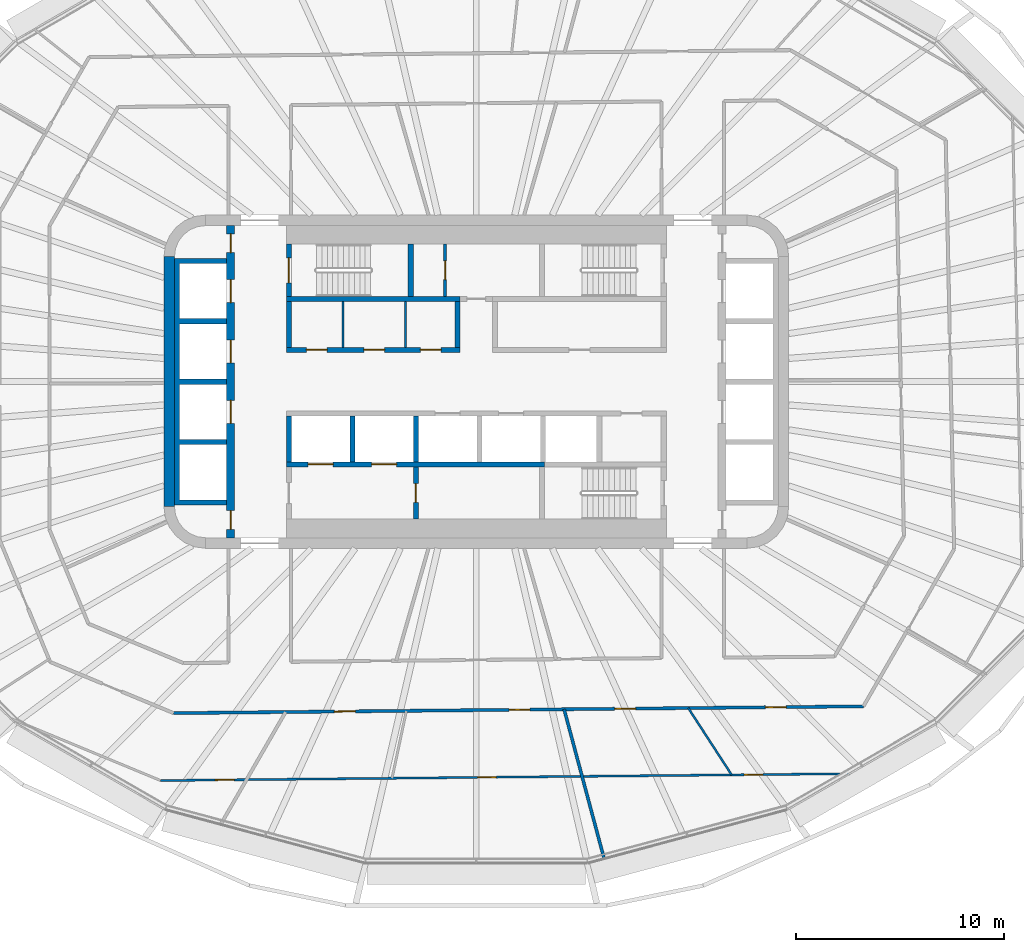
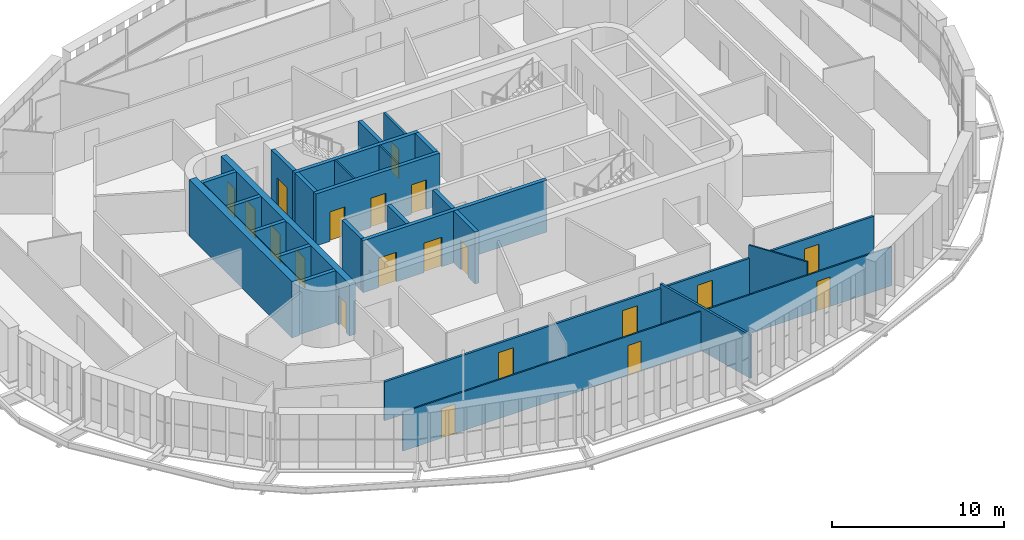
# One storey, part 11 of 21: 21 walls, 20 doors, 20 openings.
"""IFC4 building model written with IfcOpenShell, lengths in metres."""

from ifc_helpers import new_model, si_unit, direction, frame, frame_2d, origin, place, context, subcontext, project, spatial, polyline, rectangle, outline, extrude, material, layer, layer_set, type_object, element, fill, save


model = new_model("IFC4")

# Units and contexts
model_context = context("Model", 3, precision=1e-05, world=origin(), true_north=direction((0.0, 1.0)))
body_context = subcontext(model_context, "Body", "Model", "MODEL_VIEW")
ifc_project = project(units=[si_unit("LENGTHUNIT", "METRE"), si_unit("AREAUNIT", "SQUARE_METRE"), si_unit("VOLUMEUNIT", "CUBIC_METRE"), si_unit("PLANEANGLEUNIT", "RADIAN"), si_unit("MASSUNIT", "GRAM", prefix="KILO")], contexts=[model_context])

# Site, building, storey
site_placement = place(None, origin())
site = spatial("IfcSite", under=ifc_project, at=site_placement, CompositionType="ELEMENT")
building_placement = place(site_placement, origin())
building = spatial("IfcBuilding", under=site, at=building_placement, Name="Sahrelin Media Tower", CompositionType="ELEMENT")
storey_placement = place(building_placement, frame((0.0, 0.0, 193.60009765625)))
storey = spatial("IfcBuildingStorey", under=building, at=storey_placement, Name="L41", CompositionType="ELEMENT", Elevation=193.60009765625)

# Wall
ifc_material_1 = material(Name="Concrete C60/75", Category="concrete")
ifc_layer_1 = layer(ifc_material_1, 0.5)
ifc_layer_set_1 = layer_set([ifc_layer_1], Name="Core wall 500")
wall_type_1 = type_object("IfcWallType", Name="Core wall 500", PredefinedType="SHEAR", material=ifc_layer_set_1)
wall_1_placement = place(storey_placement, frame((-14.75, -6.0, 0.0), z_axis=(0.0, 0.0, 1.0), x_axis=(0.0, 1.0, 0.0)))
element("IfcWall", 1, at=wall_1_placement, inside=storey, type_object=wall_type_1, Name="Core wall W L41", PredefinedType="SHEAR", context=body_context, shape_type="SweptSolid", body=[
    extrude(rectangle(XDim=12.0, YDim=0.5, at=frame_2d((6.0, 0.0))), origin(), (0.0, 0.0, 1.0), 4.0),
])

# Wall, openings, doors
ifc_material_2 = material(Name="Fire-rated gypsum board partition")
ifc_layer_2 = layer(ifc_material_2, 0.25)
ifc_layer_set_2 = layer_set([ifc_layer_2], Name="Fire-rated lobby wall 250")
wall_type_2 = type_object("IfcWallType", Name="Fire-rated lobby wall 250", PredefinedType="PARTITIONING", material=ifc_layer_set_2)
wall_2_placement = place(storey_placement, frame((-9.125, 1.52490234375, 0.0), z_axis=(0.0, 0.0, 1.0), x_axis=(1.0, 0.0, 0.0)))
wall_2 = element("IfcWall", 2, at=wall_2_placement, inside=storey, type_object=wall_type_2, Name="Core lobby wall", PredefinedType="PARTITIONING", context=body_context, shape_type="SweptSolid", body=[
    extrude(rectangle(XDim=8.35009765625, YDim=0.25, at=frame_2d((4.175048828125, 0.0))), origin(), (0.0, 0.0, 1.0), 3.699951171875),
])
opening_1_placement = place(wall_2_placement, frame((0.96240234375, 0.0, 0.0)))
opening_1 = element("IfcOpeningElement", 3, at=opening_1_placement, cuts=wall_2, Name="Opening L41-D08", PredefinedType="OPENING", context=body_context, shape_type="SweptSolid", body=[
    extrude(rectangle(XDim=1.0, YDim=2.10009765625, at=frame_2d((0.5, 1.050048828125))), frame((0.0, 0.125, 0.0), z_axis=(0.0, -1.0, 0.0), x_axis=(1.0, 0.0, 0.0)), (0.0, 0.0, 1.0), 0.25),
])
opening_2_placement = place(wall_2_placement, frame((3.72509765625, 0.0, 0.0)))
opening_2 = element("IfcOpeningElement", 4, at=opening_2_placement, cuts=wall_2, Name="Opening L41-D09", PredefinedType="OPENING", context=body_context, shape_type="SweptSolid", body=[
    extrude(rectangle(XDim=1.0, YDim=2.10009765625, at=frame_2d((0.5, 1.050048828125))), frame((0.0, 0.125, 0.0), z_axis=(0.0, -1.0, 0.0), x_axis=(1.0, 0.0, 0.0)), (0.0, 0.0, 1.0), 0.25),
])
opening_3_placement = place(wall_2_placement, frame((6.4375, 0.0, 0.0)))
opening_3 = element("IfcOpeningElement", 5, at=opening_3_placement, cuts=wall_2, Name="Opening L41-D10", PredefinedType="OPENING", context=body_context, shape_type="SweptSolid", body=[
    extrude(rectangle(XDim=1.0, YDim=2.10009765625, at=frame_2d((0.5, 1.050048828125))), frame((0.0, 0.125, 0.0), z_axis=(0.0, -1.0, 0.0), x_axis=(1.0, 0.0, 0.0)), (0.0, 0.0, 1.0), 0.25),
])
ifc_material_3 = material(Name="Steel fire door leaf", Category="steel")
door_type_1 = type_object("IfcDoorType", Name="Fire door 1000 x 2100 EI 60", OperationType="NOTDEFINED", PredefinedType="DOOR", material=ifc_material_3)
door_1_placement = place(opening_1_placement, origin())
door_1 = element("IfcDoor", 6, at=door_1_placement, inside=storey, type_object=door_type_1, Name="Core room door", OperationType="SINGLE_SWING_LEFT", OverallHeight=2.10009765625, OverallWidth=1.0, PredefinedType="DOOR", context=body_context, shape_type="SweptSolid", body=[
    extrude(rectangle(XDim=1.0, YDim=2.10009765625, at=frame_2d((0.5, 1.050048828125))), frame((0.0, 0.02490234375, 0.0), z_axis=(0.0, -1.0, 0.0), x_axis=(1.0, 0.0, 0.0)), (0.0, 0.0, 1.0), 0.050048828125),
])
fill(opening_1, door_1)
door_2_placement = place(opening_2_placement, origin())
door_2 = element("IfcDoor", 7, at=door_2_placement, inside=storey, type_object=door_type_1, Name="Core room door", OperationType="SINGLE_SWING_LEFT", OverallHeight=2.10009765625, OverallWidth=1.0, PredefinedType="DOOR", context=body_context, shape_type="SweptSolid", body=[
    extrude(rectangle(XDim=1.0, YDim=2.10009765625, at=frame_2d((0.5, 1.050048828125))), frame((0.0, 0.02490234375, 0.0), z_axis=(0.0, -1.0, 0.0), x_axis=(1.0, 0.0, 0.0)), (0.0, 0.0, 1.0), 0.050048828125),
])
fill(opening_2, door_2)
door_3_placement = place(opening_3_placement, origin())
door_3 = element("IfcDoor", 8, at=door_3_placement, inside=storey, type_object=door_type_1, Name="Core room door", OperationType="SINGLE_SWING_LEFT", OverallHeight=2.10009765625, OverallWidth=1.0, PredefinedType="DOOR", context=body_context, shape_type="SweptSolid", body=[
    extrude(rectangle(XDim=1.0, YDim=2.10009765625, at=frame_2d((0.5, 1.050048828125))), frame((0.0, 0.02490234375, 0.0), z_axis=(0.0, -1.0, 0.0), x_axis=(1.0, 0.0, 0.0)), (0.0, 0.0, 1.0), 0.050048828125),
])
fill(opening_3, door_3)

# Walls
for number, where, z_axis, x_axis, name in (
    (9, (-9.0, 1.64990234375, 0.0), (0.0, 0.0, 1.0), (0.0, 1.0, 0.0), "Core lobby wall"),
    (10, (-0.89990234375, 1.64990234375, 0.0), (0.0, 0.0, 1.0), (0.0, 1.0, 0.0), "Core lobby wall"),
):
    element("IfcWall", number, at=place(storey_placement, frame(where, z_axis=z_axis, x_axis=x_axis)), inside=storey, type_object=wall_type_2, Name=name, PredefinedType="PARTITIONING", context=body_context, shape_type="SweptSolid", body=[
        extrude(rectangle(XDim=2.2001953125, YDim=0.25, at=frame_2d((1.10009765625, 0.0))), origin(), (0.0, 0.0, 1.0), 3.699951171875),
    ])
ifc_layer_3 = layer(ifc_material_2, 0.10009765625)
ifc_layer_set_3 = layer_set([ifc_layer_3], Name="Fire-rated partition 100")
wall_type_3 = type_object("IfcWallType", Name="Fire-rated partition 100", PredefinedType="PARTITIONING", material=ifc_layer_set_3)
for number, where, z_axis, x_axis, name in (
    (11, (-6.39990234375, 1.64990234375, 0.0), (0.0, 0.0, 1.0), (0.0, 1.0, 0.0), "Core room partition"),
    (12, (-3.39990234375, 1.64990234375, 0.0), (0.0, 0.0, 1.0), (0.0, 1.0, 0.0), "Core room partition"),
):
    element("IfcWall", number, at=place(storey_placement, frame(where, z_axis=z_axis, x_axis=x_axis)), inside=storey, type_object=wall_type_3, Name=name, PredefinedType="PARTITIONING", context=body_context, shape_type="SweptSolid", body=[
        extrude(rectangle(XDim=2.2001953125, YDim=0.10009765625, at=frame_2d((1.10009765625, 0.0))), origin(), (0.0, 0.0, 1.0), 3.699951171875),
    ])

# Wall, opening, door
ifc_layer_4 = layer(ifc_material_2, 0.14990234375)
ifc_layer_set_4 = layer_set([ifc_layer_4], Name="Fire-rated partition 150")
wall_type_4 = type_object("IfcWallType", Name="Fire-rated partition 150", PredefinedType="PARTITIONING", material=ifc_layer_set_4)
wall_3_placement = place(storey_placement, frame((-1.5, 4.10009765625, 0.0), z_axis=(0.0, 0.0, 1.0), x_axis=(0.0, 1.0, 0.0)))
wall_3 = element("IfcWall", 13, at=wall_3_placement, inside=storey, type_object=wall_type_4, Name="Core room fire partition", PredefinedType="PARTITIONING", context=body_context, shape_type="SweptSolid", body=[
    extrude(rectangle(XDim=2.5, YDim=0.14990234375, at=frame_2d((1.25, 0.0))), origin(), (0.0, 0.0, 1.0), 3.699951171875),
])
opening_4_placement = place(wall_3_placement, frame((0.800048828125, 0.0, 0.0)))
opening_4 = element("IfcOpeningElement", 14, at=opening_4_placement, cuts=wall_3, Name="Opening L41-D07", PredefinedType="OPENING", context=body_context, shape_type="SweptSolid", body=[
    extrude(rectangle(XDim=0.89990234375, YDim=2.10009765625, at=frame_2d((0.449951171875, 1.050048828125))), frame((0.0, 0.074951171875, 0.0), z_axis=(0.0, -1.0, 0.0), x_axis=(1.0, 0.0, 0.0)), (0.0, 0.0, 1.0), 0.14990234375),
])
door_type_2 = type_object("IfcDoorType", Name="Fire door 900 x 2100 EI 60", OperationType="NOTDEFINED", PredefinedType="DOOR", material=ifc_material_3)
door_4_placement = place(opening_4_placement, origin())
door_4 = element("IfcDoor", 15, at=door_4_placement, inside=storey, type_object=door_type_2, Name="Core room door", OperationType="SINGLE_SWING_LEFT", OverallHeight=2.10009765625, OverallWidth=0.89990234375, PredefinedType="DOOR", context=body_context, shape_type="SweptSolid", body=[
    extrude(rectangle(XDim=0.89990234375, YDim=2.10009765625, at=frame_2d((0.449951171875, 1.050048828125))), frame((0.0, 0.02490234375, 0.0), z_axis=(0.0, -1.0, 0.0), x_axis=(1.0, 0.0, 0.0)), (0.0, 0.0, 1.0), 0.050048828125),
])
fill(opening_4, door_4)

# Wall
wall_4_placement = place(storey_placement, frame((4.215087890625, -15.72998046875, 0.0), z_axis=(0.0, 0.0, 1.0), x_axis=(0.258765615768, -0.965940141052, 0.0)))
element("IfcWall", 16, at=wall_4_placement, inside=storey, type_object=wall_type_4, Name="Wall", PredefinedType="PARTITIONING", context=body_context, shape_type="SweptSolid", body=[
    extrude(rectangle(XDim=7.4384765625, YDim=0.14990234375, at=frame_2d((3.71923828125, 0.0))), origin(), (0.0, 0.0, 1.0), 3.077392578125),
])

# Wall, openings, doors
wall_5_placement = place(storey_placement, frame((-14.533935546875, -15.91552734375, 0.0), z_axis=(0.0, 0.0, 1.0), x_axis=(0.999951221888, 0.009876935033, 0.0)))
wall_5 = element("IfcWall", 17, at=wall_5_placement, inside=storey, type_object=wall_type_4, Name="Wall", PredefinedType="PARTITIONING", context=body_context, shape_type="SweptSolid", body=[
    extrude(rectangle(XDim=33.12255859375, YDim=0.14990234375, at=frame_2d((16.561279296875, 0.0))), origin(), (0.0, 0.0, 1.0), 2.76806640625),
])
opening_5_placement = place(wall_5_placement, frame((7.722412109375, 0.0, 0.0)))
opening_5 = element("IfcOpeningElement", 18, at=opening_5_placement, cuts=wall_5, Name="Opening L41-D52", PredefinedType="OPENING", context=body_context, shape_type="SweptSolid", body=[
    extrude(rectangle(XDim=1.0, YDim=2.10009765625, at=frame_2d((0.5, 1.050048828125))), frame((0.0, 0.074951171875, 0.0), z_axis=(0.0, -1.0, 0.0), x_axis=(1.0, 0.0, 0.0)), (0.0, 0.0, 1.0), 0.14990234375),
])
opening_6_placement = place(wall_5_placement, frame((16.110595703125, 0.0, 0.0)))
opening_6 = element("IfcOpeningElement", 19, at=opening_6_placement, cuts=wall_5, Name="Opening L41-D53", PredefinedType="OPENING", context=body_context, shape_type="SweptSolid", body=[
    extrude(rectangle(XDim=1.0, YDim=2.10009765625, at=frame_2d((0.5, 1.050048828125))), frame((0.0, 0.074951171875, 0.0), z_axis=(0.0, -1.0, 0.0), x_axis=(1.0, 0.0, 0.0)), (0.0, 0.0, 1.0), 0.14990234375),
])
opening_7_placement = place(wall_5_placement, frame((21.1796875, 0.0, 0.0)))
opening_7 = element("IfcOpeningElement", 20, at=opening_7_placement, cuts=wall_5, Name="Opening L41-D55", PredefinedType="OPENING", context=body_context, shape_type="SweptSolid", body=[
    extrude(rectangle(XDim=1.0, YDim=2.10009765625, at=frame_2d((0.5, 1.050048828125))), frame((0.0, 0.074951171875, 0.0), z_axis=(0.0, -1.0, 0.0), x_axis=(1.0, 0.0, 0.0)), (0.0, 0.0, 1.0), 0.14990234375),
])
opening_8_placement = place(wall_5_placement, frame((28.41552734375, 0.0, 0.0)))
opening_8 = element("IfcOpeningElement", 21, at=opening_8_placement, cuts=wall_5, Name="Opening L41-D56", PredefinedType="OPENING", context=body_context, shape_type="SweptSolid", body=[
    extrude(rectangle(XDim=1.0, YDim=2.10009765625, at=frame_2d((0.5, 1.050048828125))), frame((0.0, 0.074951171875, 0.0), z_axis=(0.0, -1.0, 0.0), x_axis=(1.0, 0.0, 0.0)), (0.0, 0.0, 1.0), 0.14990234375),
])
door_5_placement = place(opening_5_placement, origin())
door_5 = element("IfcDoor", 22, at=door_5_placement, inside=storey, type_object=door_type_1, Name="Fire door", OperationType="SINGLE_SWING_LEFT", OverallHeight=2.10009765625, OverallWidth=1.0, PredefinedType="DOOR", context=body_context, shape_type="SweptSolid", body=[
    extrude(rectangle(XDim=1.0, YDim=2.10009765625, at=frame_2d((0.5, 1.050048828125))), frame((0.0, 0.02490234375, 0.0), z_axis=(0.0, -1.0, 0.0), x_axis=(1.0, 0.0, 0.0)), (0.0, 0.0, 1.0), 0.050048828125),
])
fill(opening_5, door_5)
door_6_placement = place(opening_6_placement, origin())
door_6 = element("IfcDoor", 23, at=door_6_placement, inside=storey, type_object=door_type_1, Name="Fire door", OperationType="SINGLE_SWING_RIGHT", OverallHeight=2.10009765625, OverallWidth=1.0, PredefinedType="DOOR", context=body_context, shape_type="SweptSolid", body=[
    extrude(rectangle(XDim=1.0, YDim=2.10009765625, at=frame_2d((0.5, 1.050048828125))), frame((0.0, 0.02490234375, 0.0), z_axis=(0.0, -1.0, 0.0), x_axis=(1.0, 0.0, 0.0)), (0.0, 0.0, 1.0), 0.050048828125),
])
fill(opening_6, door_6)
door_7_placement = place(opening_7_placement, origin())
door_7 = element("IfcDoor", 24, at=door_7_placement, inside=storey, type_object=door_type_1, Name="Fire door", OperationType="SINGLE_SWING_LEFT", OverallHeight=2.10009765625, OverallWidth=1.0, PredefinedType="DOOR", context=body_context, shape_type="SweptSolid", body=[
    extrude(rectangle(XDim=1.0, YDim=2.10009765625, at=frame_2d((0.5, 1.050048828125))), frame((0.0, 0.02490234375, 0.0), z_axis=(0.0, -1.0, 0.0), x_axis=(1.0, 0.0, 0.0)), (0.0, 0.0, 1.0), 0.050048828125),
])
fill(opening_7, door_7)
door_8_placement = place(opening_8_placement, origin())
door_8 = element("IfcDoor", 25, at=door_8_placement, inside=storey, type_object=door_type_1, Name="Fire door", OperationType="SINGLE_SWING_LEFT", OverallHeight=2.10009765625, OverallWidth=1.0, PredefinedType="DOOR", context=body_context, shape_type="SweptSolid", body=[
    extrude(rectangle(XDim=1.0, YDim=2.10009765625, at=frame_2d((0.5, 1.050048828125))), frame((0.0, 0.02490234375, 0.0), z_axis=(0.0, -1.0, 0.0), x_axis=(1.0, 0.0, 0.0)), (0.0, 0.0, 1.0), 0.050048828125),
])
fill(opening_8, door_8)

# Wall, opening, door
ifc_layer_5 = layer(ifc_material_2, 0.25)
ifc_layer_set_5 = layer_set([ifc_layer_5], Name="Firefighting lobby wall 250")
wall_type_5 = type_object("IfcWallType", Name="Firefighting lobby wall 250", PredefinedType="PARTITIONING", material=ifc_layer_set_5)
wall_6_placement = place(storey_placement, frame((-2.89990234375, -6.60009765625, 0.0), z_axis=(0.0, 0.0, 1.0), x_axis=(0.0, 1.0, 0.0)))
wall_6 = element("IfcWall", 26, at=wall_6_placement, inside=storey, type_object=wall_type_5, Name="Core wall", PredefinedType="PARTITIONING", context=body_context, shape_type="SweptSolid", body=[
    extrude(rectangle(XDim=2.5, YDim=0.25, at=frame_2d((1.25, 0.0))), origin(), (0.0, 0.0, 1.0), 3.699951171875),
])
opening_9_placement = place(wall_6_placement, frame((0.800048828125, 0.0, 0.0)))
opening_9 = element("IfcOpeningElement", 27, at=opening_9_placement, cuts=wall_6, Name="Opening L41-D05", PredefinedType="OPENING", context=body_context, shape_type="SweptSolid", body=[
    extrude(rectangle(XDim=0.89990234375, YDim=2.10009765625, at=frame_2d((0.449951171875, 1.050048828125))), frame((0.0, 0.125, 0.0), z_axis=(0.0, -1.0, 0.0), x_axis=(1.0, 0.0, 0.0)), (0.0, 0.0, 1.0), 0.25),
])
door_type_3 = type_object("IfcDoorType", Name="Firefighting lobby door 900 x 2100 EI 120", OperationType="NOTDEFINED", PredefinedType="DOOR", material=ifc_material_3)
door_9_placement = place(opening_9_placement, origin())
door_9 = element("IfcDoor", 28, at=door_9_placement, inside=storey, type_object=door_type_3, Name="Riser door", OperationType="SINGLE_SWING_RIGHT", OverallHeight=2.10009765625, OverallWidth=0.89990234375, PredefinedType="DOOR", context=body_context, shape_type="SweptSolid", body=[
    extrude(rectangle(XDim=0.89990234375, YDim=2.10009765625, at=frame_2d((0.449951171875, 1.050048828125))), frame((0.0, 0.02490234375, 0.0), z_axis=(0.0, -1.0, 0.0), x_axis=(1.0, 0.0, 0.0)), (0.0, 0.0, 1.0), 0.050048828125),
])
fill(opening_9, door_9)

# Wall, openings, doors
ifc_layer_6 = layer(ifc_material_1, 0.25)
ifc_layer_set_6 = layer_set([ifc_layer_6], Name="Lift shaft wall 250")
wall_type_6 = type_object("IfcWallType", Name="Lift shaft wall 250", PredefinedType="SOLIDWALL", material=ifc_layer_set_6)
wall_7_placement = place(storey_placement, frame((-9.125, -3.97509765625, 0.0), z_axis=(0.0, 0.0, 1.0), x_axis=(1.0, 0.0, 0.0)))
wall_7 = element("IfcWall", 29, at=wall_7_placement, inside=storey, type_object=wall_type_6, Name="Lift shaft wall", PredefinedType="SOLIDWALL", context=body_context, shape_type="SweptSolid", body=[
    extrude(rectangle(XDim=12.39990234375, YDim=0.25, at=frame_2d((6.199951171875, 0.0))), origin(), (0.0, 0.0, 1.0), 3.699951171875),
])
opening_10_placement = place(wall_7_placement, frame((1.050048828125, 0.0, 0.0)))
opening_10 = element("IfcOpeningElement", 30, at=opening_10_placement, cuts=wall_7, Name="Opening L41-LD-FF1", PredefinedType="OPENING", context=body_context, shape_type="SweptSolid", body=[
    extrude(rectangle(XDim=1.199951171875, YDim=2.10009765625, at=frame_2d((0.60009765625, 1.050048828125))), frame((0.0, 0.125, 0.0), z_axis=(0.0, -1.0, 0.0), x_axis=(1.0, 0.0, 0.0)), (0.0, 0.0, 1.0), 0.25),
])
opening_11_placement = place(wall_7_placement, frame((4.10009765625, 0.0, 0.0)))
opening_11 = element("IfcOpeningElement", 31, at=opening_11_placement, cuts=wall_7, Name="Opening L41-LD-FF2", PredefinedType="OPENING", context=body_context, shape_type="SweptSolid", body=[
    extrude(rectangle(XDim=1.199951171875, YDim=2.10009765625, at=frame_2d((0.60009765625, 1.050048828125))), frame((0.0, 0.125, 0.0), z_axis=(0.0, -1.0, 0.0), x_axis=(1.0, 0.0, 0.0)), (0.0, 0.0, 1.0), 0.25),
])
ifc_material_4 = material(Name="Stainless steel", Category="steel")
door_type_4 = type_object("IfcDoorType", Name="Lift landing door 1200 x 2100 EI 120", OperationType="DOUBLE_DOOR_SLIDING", PredefinedType="DOOR", material=ifc_material_4)
door_10_placement = place(opening_10_placement, origin())
door_10 = element("IfcDoor", 32, at=door_10_placement, inside=storey, type_object=door_type_4, Name="Lift landing door FF1", OperationType="DOUBLE_DOOR_SLIDING", OverallHeight=2.10009765625, OverallWidth=1.199951171875, PredefinedType="DOOR", context=body_context, shape_type="SweptSolid", body=[
    extrude(rectangle(XDim=1.199951171875, YDim=2.10009765625, at=frame_2d((0.60009765625, 1.050048828125))), frame((0.0, 0.02490234375, 0.0), z_axis=(0.0, -1.0, 0.0), x_axis=(1.0, 0.0, 0.0)), (0.0, 0.0, 1.0), 0.050048828125),
])
fill(opening_10, door_10)
door_11_placement = place(opening_11_placement, origin())
door_11 = element("IfcDoor", 33, at=door_11_placement, inside=storey, type_object=door_type_4, Name="Lift landing door FF2", OperationType="DOUBLE_DOOR_SLIDING", OverallHeight=2.10009765625, OverallWidth=1.199951171875, PredefinedType="DOOR", context=body_context, shape_type="SweptSolid", body=[
    extrude(rectangle(XDim=1.199951171875, YDim=2.10009765625, at=frame_2d((0.60009765625, 1.050048828125))), frame((0.0, 0.02490234375, 0.0), z_axis=(0.0, -1.0, 0.0), x_axis=(1.0, 0.0, 0.0)), (0.0, 0.0, 1.0), 0.050048828125),
])
fill(opening_11, door_11)

# Walls
for number, where, z_axis, x_axis, name in (
    (34, (-9.0, -3.85009765625, 0.0), (0.0, 0.0, 1.0), (0.0, 1.0, 0.0), "Lift shaft wall"),
    (35, (-5.949951171875, -3.85009765625, 0.0), (0.0, 0.0, 1.0), (0.0, 1.0, 0.0), "Lift shaft wall"),
    (36, (-2.89990234375, -3.85009765625, 0.0), (0.0, 0.0, 1.0), (0.0, 1.0, 0.0), "Lift shaft wall"),
):
    element("IfcWall", number, at=place(storey_placement, frame(where, z_axis=z_axis, x_axis=x_axis)), inside=storey, type_object=wall_type_6, Name=name, PredefinedType="SOLIDWALL", context=body_context, shape_type="SweptSolid", body=[
        extrude(rectangle(XDim=2.2001953125, YDim=0.25, at=frame_2d((1.10009765625, 0.0))), origin(), (0.0, 0.0, 1.0), 3.699951171875),
    ])
wall_8_placement = place(storey_placement, origin())
element("IfcWall", 37, at=wall_8_placement, inside=storey, type_object=wall_type_6, Name="Lift shaft wall", PredefinedType="SOLIDWALL", context=body_context, shape_type="SweptSolid", body=[
    extrude(outline(polyline([(-12.0, -5.925048828125), (-12.0, -5.675048828125), (-14.25, -5.675048828125), (-14.25, -3.02490234375), (-12.0, -3.02490234375), (-12.0, -2.77490234375), (-14.25, -2.77490234375), (-14.25, -0.125), (-12.0, -0.125), (-12.0, 0.125), (-14.25, 0.125), (-14.25, 2.77490234375), (-12.0, 2.77490234375), (-12.0, 3.02490234375), (-14.25, 3.02490234375), (-14.25, 5.675048828125), (-12.0, 5.675048828125), (-12.0, 5.925048828125), (-14.25, 5.925048828125), (-14.5, 5.925048828125), (-14.5, 5.675048828125), (-14.5, 3.02490234375), (-14.5, 2.77490234375), (-14.5, 0.125), (-14.5, -0.125), (-14.5, -2.77490234375), (-14.5, -3.02490234375), (-14.5, -5.675048828125), (-14.5, -5.925048828125), (-14.25, -5.925048828125), (-12.0, -5.925048828125)])), origin(), (0.0, 0.0, 1.0), 3.699951171875),
])

# Wall, openings, doors
ifc_layer_7 = layer(ifc_material_1, 0.39990234375)
ifc_layer_set_7 = layer_set([ifc_layer_7], Name="Lift shaft wall 400")
wall_type_7 = type_object("IfcWallType", Name="Lift shaft wall 400", PredefinedType="SOLIDWALL", material=ifc_layer_set_7)
wall_9_placement = place(storey_placement, frame((-11.800048828125, -7.5, 0.0), z_axis=(0.0, 0.0, 1.0), x_axis=(0.0, 1.0, 0.0)))
wall_9 = element("IfcWall", 38, at=wall_9_placement, inside=storey, type_object=wall_type_7, Name="Lift shaft wall", PredefinedType="SOLIDWALL", context=body_context, shape_type="SweptSolid", body=[
    extrude(rectangle(XDim=15.0, YDim=0.39990234375, at=frame_2d((7.5, 0.0))), origin(), (0.0, 0.0, 1.0), 3.699951171875),
])
opening_12_placement = place(wall_9_placement, frame((11.300048828125, 0.0, 0.0)))
opening_12 = element("IfcOpeningElement", 39, at=opening_12_placement, cuts=wall_9, Name="Opening L41-LD-LR1", PredefinedType="OPENING", context=body_context, shape_type="SweptSolid", body=[
    extrude(rectangle(XDim=1.10009765625, YDim=2.10009765625, at=frame_2d((0.550048828125, 1.050048828125))), frame((0.0, 0.199951171875, 0.0), z_axis=(0.0, -1.0, 0.0), x_axis=(1.0, 0.0, 0.0)), (0.0, 0.0, 1.0), 0.39990234375),
])
opening_13_placement = place(wall_9_placement, frame((8.39990234375, 0.0, 0.0)))
opening_13 = element("IfcOpeningElement", 40, at=opening_13_placement, cuts=wall_9, Name="Opening L41-LD-LR2", PredefinedType="OPENING", context=body_context, shape_type="SweptSolid", body=[
    extrude(rectangle(XDim=1.10009765625, YDim=2.10009765625, at=frame_2d((0.550048828125, 1.050048828125))), frame((0.0, 0.199951171875, 0.0), z_axis=(0.0, -1.0, 0.0), x_axis=(1.0, 0.0, 0.0)), (0.0, 0.0, 1.0), 0.39990234375),
])
opening_14_placement = place(wall_9_placement, frame((5.5, 0.0, 0.0)))
opening_14 = element("IfcOpeningElement", 41, at=opening_14_placement, cuts=wall_9, Name="Opening L41-LD-LR3", PredefinedType="OPENING", context=body_context, shape_type="SweptSolid", body=[
    extrude(rectangle(XDim=1.10009765625, YDim=2.10009765625, at=frame_2d((0.550048828125, 1.050048828125))), frame((0.0, 0.199951171875, 0.0), z_axis=(0.0, -1.0, 0.0), x_axis=(1.0, 0.0, 0.0)), (0.0, 0.0, 1.0), 0.39990234375),
])
opening_15_placement = place(wall_9_placement, frame((13.696533203125, 0.0, 0.0)))
opening_15 = element("IfcOpeningElement", 42, at=opening_15_placement, cuts=wall_9, Name="Opening L41-D13", PredefinedType="OPENING", context=body_context, shape_type="SweptSolid", body=[
    extrude(rectangle(XDim=0.89990234375, YDim=2.10009765625, at=frame_2d((0.449951171875, 1.050048828125))), frame((0.0, 0.199951171875, 0.0), z_axis=(0.0, -1.0, 0.0), x_axis=(1.0, 0.0, 0.0)), (0.0, 0.0, 1.0), 0.39990234375),
])
opening_16_placement = place(wall_9_placement, frame((0.4033203125, 0.0, 0.0)))
opening_16 = element("IfcOpeningElement", 43, at=opening_16_placement, cuts=wall_9, Name="Opening L41-D14", PredefinedType="OPENING", context=body_context, shape_type="SweptSolid", body=[
    extrude(rectangle(XDim=0.89990234375, YDim=2.10009765625, at=frame_2d((0.449951171875, 1.050048828125))), frame((0.0, 0.199951171875, 0.0), z_axis=(0.0, -1.0, 0.0), x_axis=(1.0, 0.0, 0.0)), (0.0, 0.0, 1.0), 0.39990234375),
])
door_type_5 = type_object("IfcDoorType", Name="Lift landing door 1100 x 2100 EI 120", OperationType="DOUBLE_DOOR_SLIDING", PredefinedType="DOOR", material=ifc_material_4)
door_12_placement = place(opening_12_placement, origin())
door_12 = element("IfcDoor", 44, at=door_12_placement, inside=storey, type_object=door_type_5, Name="Lift landing door LR1", OperationType="DOUBLE_DOOR_SLIDING", OverallHeight=2.10009765625, OverallWidth=1.10009765625, PredefinedType="DOOR", context=body_context, shape_type="SweptSolid", body=[
    extrude(rectangle(XDim=1.10009765625, YDim=2.10009765625, at=frame_2d((0.550048828125, 1.050048828125))), frame((0.0, 0.02490234375, 0.0), z_axis=(0.0, -1.0, 0.0), x_axis=(1.0, 0.0, 0.0)), (0.0, 0.0, 1.0), 0.050048828125),
])
fill(opening_12, door_12)
door_13_placement = place(opening_13_placement, origin())
door_13 = element("IfcDoor", 45, at=door_13_placement, inside=storey, type_object=door_type_5, Name="Lift landing door LR2", OperationType="DOUBLE_DOOR_SLIDING", OverallHeight=2.10009765625, OverallWidth=1.10009765625, PredefinedType="DOOR", context=body_context, shape_type="SweptSolid", body=[
    extrude(rectangle(XDim=1.10009765625, YDim=2.10009765625, at=frame_2d((0.550048828125, 1.050048828125))), frame((0.0, 0.02490234375, 0.0), z_axis=(0.0, -1.0, 0.0), x_axis=(1.0, 0.0, 0.0)), (0.0, 0.0, 1.0), 0.050048828125),
])
fill(opening_13, door_13)
door_14_placement = place(opening_14_placement, origin())
door_14 = element("IfcDoor", 46, at=door_14_placement, inside=storey, type_object=door_type_5, Name="Lift landing door LR3", OperationType="DOUBLE_DOOR_SLIDING", OverallHeight=2.10009765625, OverallWidth=1.10009765625, PredefinedType="DOOR", context=body_context, shape_type="SweptSolid", body=[
    extrude(rectangle(XDim=1.10009765625, YDim=2.10009765625, at=frame_2d((0.550048828125, 1.050048828125))), frame((0.0, 0.02490234375, 0.0), z_axis=(0.0, -1.0, 0.0), x_axis=(1.0, 0.0, 0.0)), (0.0, 0.0, 1.0), 0.050048828125),
])
fill(opening_14, door_14)
door_type_6 = type_object("IfcDoorType", Name="Riser door 900 x 2100 EI 120", OperationType="NOTDEFINED", PredefinedType="DOOR", material=ifc_material_3)
door_15_placement = place(opening_15_placement, origin())
door_15 = element("IfcDoor", 47, at=door_15_placement, inside=storey, type_object=door_type_6, Name="Riser door", OperationType="SINGLE_SWING_LEFT", OverallHeight=2.10009765625, OverallWidth=0.89990234375, PredefinedType="DOOR", context=body_context, shape_type="SweptSolid", body=[
    extrude(rectangle(XDim=0.89990234375, YDim=2.10009765625, at=frame_2d((0.449951171875, 1.050048828125))), frame((0.0, 0.02490234375, 0.0), z_axis=(0.0, -1.0, 0.0), x_axis=(1.0, 0.0, 0.0)), (0.0, 0.0, 1.0), 0.050048828125),
])
fill(opening_15, door_15)
door_16_placement = place(opening_16_placement, origin())
door_16 = element("IfcDoor", 48, at=door_16_placement, inside=storey, type_object=door_type_6, Name="Riser door", OperationType="SINGLE_SWING_LEFT", OverallHeight=2.10009765625, OverallWidth=0.89990234375, PredefinedType="DOOR", context=body_context, shape_type="SweptSolid", body=[
    extrude(rectangle(XDim=0.89990234375, YDim=2.10009765625, at=frame_2d((0.449951171875, 1.050048828125))), frame((0.0, 0.02490234375, 0.0), z_axis=(0.0, -1.0, 0.0), x_axis=(1.0, 0.0, 0.0)), (0.0, 0.0, 1.0), 0.050048828125),
])
fill(opening_16, door_16)

# Wall
ifc_material_5 = material(Name="Gypsum board partition")
ifc_layer_8 = layer(ifc_material_5, 0.10009765625)
ifc_layer_set_8 = layer_set([ifc_layer_8], Name="Partition 100")
wall_type_8 = type_object("IfcWallType", Name="Partition 100", PredefinedType="PARTITIONING", material=ifc_layer_set_8)
wall_10_placement = place(storey_placement, frame((10.177001953125, -15.6708984375, 0.0), z_axis=(0.0, 0.0, 1.0), x_axis=(0.544647409198, -0.838665129628, 0.0)))
element("IfcWall", 49, at=wall_10_placement, inside=storey, type_object=wall_type_8, Name="Wall", PredefinedType="PARTITIONING", context=body_context, shape_type="SweptSolid", body=[
    extrude(rectangle(XDim=3.826416015625, YDim=0.10009765625, at=frame_2d((1.9130859375, 0.0))), origin(), (0.0, 0.0, 1.0), 3.699951171875),
])

# Wall, openings, doors
wall_11_placement = place(storey_placement, frame((-15.160888671875, -19.152099609375, 0.0), z_axis=(0.0, 0.0, 1.0), x_axis=(0.999950812999, 0.009918244889, 0.0)))
wall_11 = element("IfcWall", 50, at=wall_11_placement, inside=storey, type_object=wall_type_8, Name="Wall", PredefinedType="PARTITIONING", context=body_context, shape_type="SweptSolid", body=[
    extrude(rectangle(XDim=33.107666015625, YDim=0.10009765625, at=frame_2d((16.5537109375, 0.0))), origin(), (0.0, 0.0, 1.0), 2.76806640625),
])
opening_17_placement = place(wall_11_placement, frame((2.627685546875, 0.0, 0.0)))
opening_17 = element("IfcOpeningElement", 51, at=opening_17_placement, cuts=wall_11, Name="Opening L41-D51", PredefinedType="OPENING", context=body_context, shape_type="SweptSolid", body=[
    extrude(rectangle(XDim=0.89990234375, YDim=2.10009765625, at=frame_2d((0.449951171875, 1.050048828125))), frame((0.0, 0.050048828125, 0.0), z_axis=(0.0, -1.0, 0.0), x_axis=(1.0, 0.0, 0.0)), (0.0, 0.0, 1.0), 0.10009765625),
])
opening_18_placement = place(wall_11_placement, frame((15.22607421875, 0.0, 0.0)))
opening_18 = element("IfcOpeningElement", 52, at=opening_18_placement, cuts=wall_11, Name="Opening L41-D54", PredefinedType="OPENING", context=body_context, shape_type="SweptSolid", body=[
    extrude(rectangle(XDim=0.89990234375, YDim=2.10009765625, at=frame_2d((0.449951171875, 1.050048828125))), frame((0.0, 0.050048828125, 0.0), z_axis=(0.0, -1.0, 0.0), x_axis=(1.0, 0.0, 0.0)), (0.0, 0.0, 1.0), 0.10009765625),
])
opening_19_placement = place(wall_11_placement, frame((28.0244140625, 0.0, 0.0)))
opening_19 = element("IfcOpeningElement", 53, at=opening_19_placement, cuts=wall_11, Name="Opening L41-D57", PredefinedType="OPENING", context=body_context, shape_type="SweptSolid", body=[
    extrude(rectangle(XDim=0.89990234375, YDim=2.10009765625, at=frame_2d((0.449951171875, 1.050048828125))), frame((0.0, 0.050048828125, 0.0), z_axis=(0.0, -1.0, 0.0), x_axis=(1.0, 0.0, 0.0)), (0.0, 0.0, 1.0), 0.10009765625),
])
ifc_material_6 = material(Name="Timber door leaf", Category="wood")
door_type_7 = type_object("IfcDoorType", Name="Single door 900 x 2100", OperationType="NOTDEFINED", PredefinedType="DOOR", material=ifc_material_6)
door_17_placement = place(opening_17_placement, origin())
door_17 = element("IfcDoor", 54, at=door_17_placement, inside=storey, type_object=door_type_7, Name="Single door", OperationType="SINGLE_SWING_RIGHT", OverallHeight=2.10009765625, OverallWidth=0.89990234375, PredefinedType="DOOR", context=body_context, shape_type="SweptSolid", body=[
    extrude(rectangle(XDim=0.89990234375, YDim=2.10009765625, at=frame_2d((0.449951171875, 1.050048828125))), frame((0.0, 0.02490234375, 0.0), z_axis=(0.0, -1.0, 0.0), x_axis=(1.0, 0.0, 0.0)), (0.0, 0.0, 1.0), 0.050048828125),
])
fill(opening_17, door_17)
door_18_placement = place(opening_18_placement, origin())
door_18 = element("IfcDoor", 55, at=door_18_placement, inside=storey, type_object=door_type_7, Name="Single door", OperationType="SINGLE_SWING_RIGHT", OverallHeight=2.10009765625, OverallWidth=0.89990234375, PredefinedType="DOOR", context=body_context, shape_type="SweptSolid", body=[
    extrude(rectangle(XDim=0.89990234375, YDim=2.10009765625, at=frame_2d((0.449951171875, 1.050048828125))), frame((0.0, 0.02490234375, 0.0), z_axis=(0.0, -1.0, 0.0), x_axis=(1.0, 0.0, 0.0)), (0.0, 0.0, 1.0), 0.050048828125),
])
fill(opening_18, door_18)
door_19_placement = place(opening_19_placement, origin())
door_19 = element("IfcDoor", 56, at=door_19_placement, inside=storey, type_object=door_type_7, Name="Single door", OperationType="SINGLE_SWING_RIGHT", OverallHeight=2.10009765625, OverallWidth=0.89990234375, PredefinedType="DOOR", context=body_context, shape_type="SweptSolid", body=[
    extrude(rectangle(XDim=0.89990234375, YDim=2.10009765625, at=frame_2d((0.449951171875, 1.050048828125))), frame((0.0, 0.02490234375, 0.0), z_axis=(0.0, -1.0, 0.0), x_axis=(1.0, 0.0, 0.0)), (0.0, 0.0, 1.0), 0.050048828125),
])
fill(opening_19, door_19)

# Wall, opening, door
ifc_layer_9 = layer(ifc_material_1, 0.25)
ifc_layer_set_9 = layer_set([ifc_layer_9], Name="Stair enclosure wall 250")
wall_type_9 = type_object("IfcWallType", Name="Stair enclosure wall 250", PredefinedType="SOLIDWALL", material=ifc_layer_set_9)
wall_12_placement = place(storey_placement, frame((-9.0, 4.10009765625, 0.0), z_axis=(0.0, 0.0, 1.0), x_axis=(0.0, 1.0, 0.0)))
wall_12 = element("IfcWall", 57, at=wall_12_placement, inside=storey, type_object=wall_type_9, Name="Stair enclosure wall", PredefinedType="SOLIDWALL", context=body_context, shape_type="SweptSolid", body=[
    extrude(rectangle(XDim=2.5, YDim=0.25, at=frame_2d((1.25, 0.0))), origin(), (0.0, 0.0, 1.0), 3.699951171875),
])
opening_20_placement = place(wall_12_placement, frame((0.64990234375, 0.0, 0.0)))
opening_20 = element("IfcOpeningElement", 58, at=opening_20_placement, cuts=wall_12, Name="Opening L41-D01", PredefinedType="OPENING", context=body_context, shape_type="SweptSolid", body=[
    extrude(rectangle(XDim=1.199951171875, YDim=2.10009765625, at=frame_2d((0.60009765625, 1.050048828125))), frame((0.0, 0.125, 0.0), z_axis=(0.0, -1.0, 0.0), x_axis=(1.0, 0.0, 0.0)), (0.0, 0.0, 1.0), 0.25),
])
door_type_8 = type_object("IfcDoorType", Name="Stair door 1200 x 2100 EI 120", OperationType="NOTDEFINED", PredefinedType="DOOR", material=ifc_material_3)
door_20_placement = place(opening_20_placement, origin())
door_20 = element("IfcDoor", 59, at=door_20_placement, inside=storey, type_object=door_type_8, Name="Stair door ST1", OperationType="SINGLE_SWING_RIGHT", OverallHeight=2.10009765625, OverallWidth=1.199951171875, PredefinedType="DOOR", context=body_context, shape_type="SweptSolid", body=[
    extrude(rectangle(XDim=1.199951171875, YDim=2.10009765625, at=frame_2d((0.60009765625, 1.050048828125))), frame((0.0, 0.02490234375, 0.0), z_axis=(0.0, -1.0, 0.0), x_axis=(1.0, 0.0, 0.0)), (0.0, 0.0, 1.0), 0.050048828125),
])
fill(opening_20, door_20)

# Walls
wall_13_placement = place(storey_placement, frame((-3.14990234375, 4.10009765625, 0.0), z_axis=(0.0, 0.0, 1.0), x_axis=(0.0, 1.0, 0.0)))
element("IfcWall", 60, at=wall_13_placement, inside=storey, type_object=wall_type_9, Name="Stair enclosure wall", PredefinedType="SOLIDWALL", context=body_context, shape_type="SweptSolid", body=[
    extrude(rectangle(XDim=2.5, YDim=0.25, at=frame_2d((1.25, 0.0))), origin(), (0.0, 0.0, 1.0), 3.699951171875),
])
wall_14_placement = place(storey_placement, frame((-9.125, 3.97509765625, 0.0), z_axis=(0.0, 0.0, 1.0), x_axis=(1.0, 0.0, 0.0)))
element("IfcWall", 61, at=wall_14_placement, inside=storey, type_object=wall_type_9, Name="Stair enclosure wall", PredefinedType="SOLIDWALL", context=body_context, shape_type="SweptSolid", body=[
    extrude(rectangle(XDim=8.35009765625, YDim=0.25, at=frame_2d((4.175048828125, 0.0))), origin(), (0.0, 0.0, 1.0), 3.699951171875),
])

save(model, "model.ifc")
